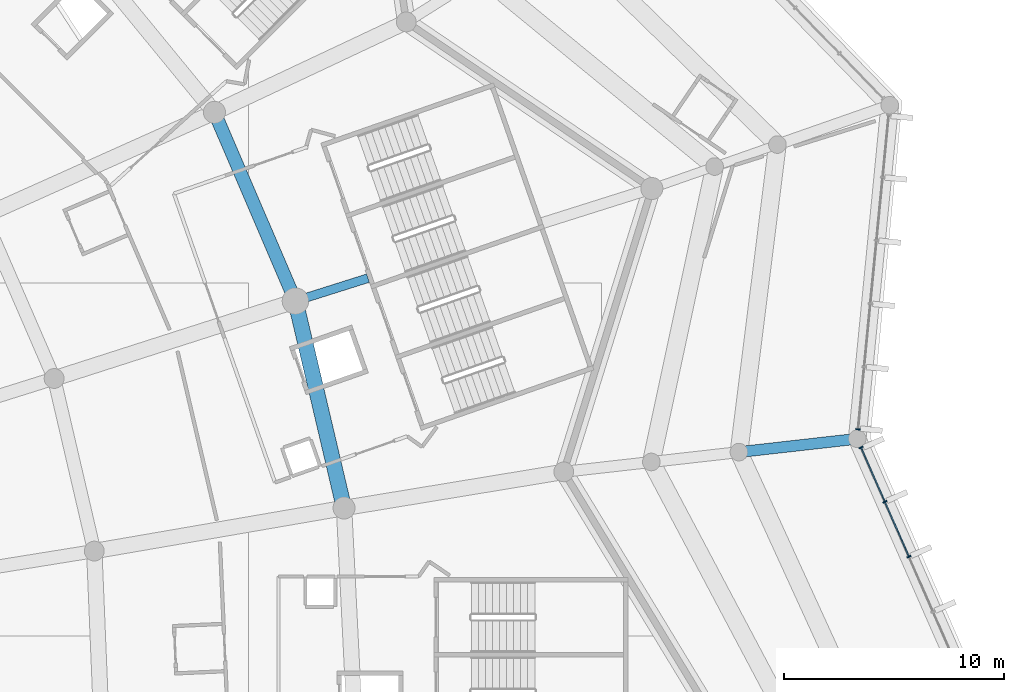
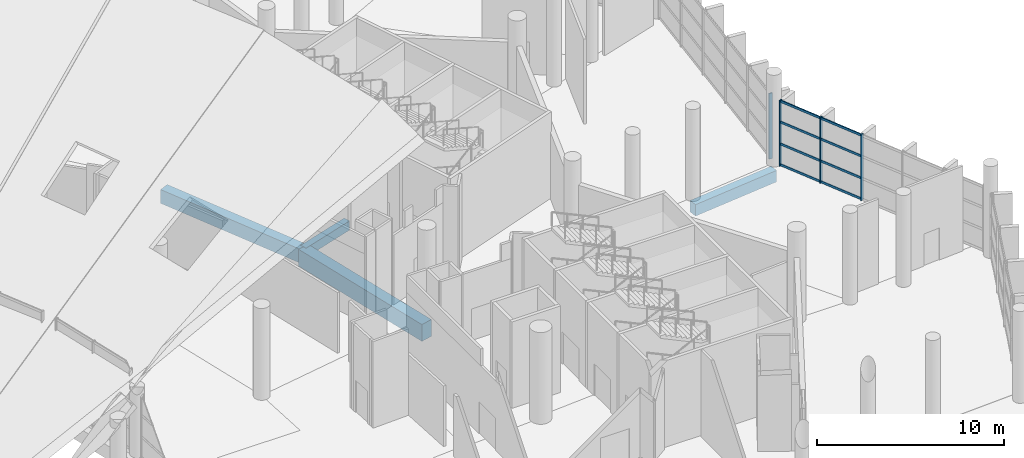
# One storey, part 83 of 249: 12 members, 4 beams, 2 elements without a shape of their own.
"""IFC4 building model written with IfcOpenShell, lengths in metres."""

from ifc_helpers import new_model, si_unit, direction, frame, origin, origin_2d, place, context, subcontext, project, spatial, rectangle, extrude, material, layer, layer_set, material_profile, profile_set, type_object, element, aggregate, save


model = new_model("IFC4")

# Units and contexts
model_context = context("Model", 3, precision=1e-05, world=origin(), true_north=direction((0.0, 1.0)))
body_context = subcontext(model_context, "Body", "Model", "MODEL_VIEW")
ifc_project = project(units=[si_unit("LENGTHUNIT", "METRE"), si_unit("AREAUNIT", "SQUARE_METRE"), si_unit("VOLUMEUNIT", "CUBIC_METRE"), si_unit("PLANEANGLEUNIT", "RADIAN"), si_unit("MASSUNIT", "GRAM", prefix="KILO")], contexts=[model_context])

# Site, building, storey
site_placement = place(None, origin())
site = spatial("IfcSite", under=ifc_project, at=site_placement, CompositionType="ELEMENT")
building_placement = place(site_placement, origin())
building = spatial("IfcBuilding", under=site, at=building_placement, Name="Meseta Stadium", CompositionType="ELEMENT")
storey_placement = place(building_placement, frame((0.0, 0.0, 12.0)))
storey = spatial("IfcBuildingStorey", under=building, at=storey_placement, Name="L02", CompositionType="ELEMENT", Elevation=12.0)

# Beams
ifc_material_1 = material(Name="Concrete C40/50", Category="concrete")
ifc_material_profile_1 = material_profile(ifc_material_1, rectangle(XDim=0.39990234375, YDim=0.60009765625, at=origin_2d()), Name="RC 400x600")
ifc_profile_set_1 = profile_set([ifc_material_profile_1], Name="Concrete C40/50")
beam_type_1 = type_object("IfcBeamType", Name="RC beam 400x600", PredefinedType="BEAM", material=ifc_profile_set_1)
beam_1_placement = place(storey_placement, frame((82.119873046875, 63.191162109375, -0.64990234375), z_axis=(0.953578389502, 0.301144907105, 0.0), x_axis=(-0.301144907105, 0.953578389502, 0.0)))
element("IfcBeam", 1, at=beam_1_placement, inside=storey, type_object=beam_type_1, Name="L02 radial beam frame 10 line P to R", PredefinedType="BEAM", context=body_context, shape_type="SweptSolid", body=[
    extrude(rectangle(XDim=0.39990234375, YDim=0.60009765625, at=origin_2d()), origin(), (0.0, 0.0, 1.0), 3.451904296875),
])
ifc_material_2 = material(Name="Concrete C40/50", Category="concrete")
ifc_material_profile_2 = material_profile(ifc_material_2, rectangle(XDim=0.5, YDim=0.75, at=origin_2d()), Name="RC 500x750")
ifc_profile_set_2 = profile_set([ifc_material_profile_2], Name="Concrete C40/50")
beam_type_2 = type_object("IfcBeamType", Name="RC beam 500x750", PredefinedType="BEAM", material=ifc_profile_set_2)
beam_2_placement = place(storey_placement, frame((102.244140625, 56.337158203125, -0.72509765625), z_axis=(0.993709385305, 0.111989542172, 0.0), x_axis=(-0.111989542172, 0.993709385305, 0.0)))
element("IfcBeam", 2, at=beam_2_placement, inside=storey, type_object=beam_type_2, Name="L02 radial beam frame 9 line Q to O", PredefinedType="BEAM", context=body_context, shape_type="SweptSolid", body=[
    extrude(rectangle(XDim=0.5, YDim=0.75, at=origin_2d()), origin(), (0.0, 0.0, 1.0), 5.39990234375),
])
ifc_material_3 = material(Name="Concrete C40/50", Category="concrete")
ifc_material_profile_3 = material_profile(ifc_material_3, rectangle(XDim=0.60009765625, YDim=0.89990234375, at=origin_2d()), Name="RC 600x900")
ifc_profile_set_3 = profile_set([ifc_material_profile_3], Name="Concrete C40/50")
beam_type_3 = type_object("IfcBeamType", Name="RC beam 600x900", PredefinedType="BEAM", material=ifc_profile_set_3)
beam_3_placement = place(storey_placement, frame((82.119873046875, 63.191162109375, -0.800048828125), z_axis=(-0.394270200779, 0.918994564063, 0.0), x_axis=(-0.918994564063, -0.394270200779, 0.0)))
element("IfcBeam", 3, at=beam_3_placement, inside=storey, type_object=beam_type_3, Name="L02 ring beam frame 10 line P", PredefinedType="BEAM", context=body_context, shape_type="SweptSolid", body=[
    extrude(rectangle(XDim=0.60009765625, YDim=0.89990234375, at=origin_2d()), origin(), (0.0, 0.0, 1.0), 9.31982421875),
])
ifc_material_4 = material(Name="Concrete C40/50", Category="concrete")
ifc_material_profile_4 = material_profile(ifc_material_4, rectangle(XDim=0.699951171875, YDim=1.10009765625, at=origin_2d()), Name="RC 700x1100")
ifc_profile_set_4 = profile_set([ifc_material_profile_4], Name="Concrete C40/50")
beam_type_4 = type_object("IfcBeamType", Name="RC beam 700x1100", PredefinedType="BEAM", material=ifc_profile_set_4)
beam_4_placement = place(storey_placement, frame((84.3251953125, 53.801513671875, -0.89990234375), z_axis=(-0.228645688533, 0.973509706739, 0.0), x_axis=(-0.973509706739, -0.228645688533, 0.0)))
element("IfcBeam", 4, at=beam_4_placement, inside=storey, type_object=beam_type_4, Name="L02 ring beam frame 9 line P", PredefinedType="BEAM", context=body_context, shape_type="SweptSolid", body=[
    extrude(rectangle(XDim=0.699951171875, YDim=1.10009765625, at=origin_2d()), origin(), (0.0, 0.0, 1.0), 9.645263671875),
])

# Curtain wall, members
ifc_material_5 = material(Name="Aluminium", Category="aluminium")
ifc_layer = layer(ifc_material_5, 0.199951171875)
ifc_layer_set = layer_set([ifc_layer], Name="Ring shopfront curtain wall")
curtain_wall_type = type_object("IfcCurtainWallType", Name="Ring shopfront curtain wall", PredefinedType="NOTDEFINED", material=ifc_layer_set)
curtain_wall_1_placement = place(storey_placement, origin())
curtain_wall_1 = element("IfcCurtainWall", 5, at=curtain_wall_1_placement, inside=storey, type_object=curtain_wall_type, Name="Ring glazing L02 F08", PredefinedType="NOTDEFINED")
ifc_material_6 = material(Name="Aluminium", Category="aluminium")
ifc_material_profile_5 = material_profile(ifc_material_6, rectangle(XDim=0.199951171875, YDim=0.06005859375, at=origin_2d()), Name="CW 200x60")
ifc_profile_set_5 = profile_set([ifc_material_profile_5], Name="Aluminium")
member_type_1 = type_object("IfcMemberType", Name="Ring CW mullion 60x200", PredefinedType="MULLION", material=ifc_profile_set_5)
member_1_placement = place(storey_placement, frame((109.958251953125, 51.591796875, 0.0), z_axis=(0.0, 0.0, 1.0), x_axis=(-0.915687110145, -0.401891921186, 0.0)))
member_1 = element("IfcMember", 6, at=member_1_placement, type_object=member_type_1, Name="CWR1 mullion 4", PredefinedType="MULLION", context=body_context, shape_type="SweptSolid", body=[
    extrude(rectangle(XDim=0.199951171875, YDim=0.06005859375, at=origin_2d()), origin(), (0.0, 0.0, 1.0), 4.300048828125),
])
member_2_placement = place(storey_placement, frame((108.864501953125, 54.083740234375, 0.0), z_axis=(0.0, 0.0, 1.0), x_axis=(-0.915687110145, -0.401891921186, 0.0)))
member_2 = element("IfcMember", 7, at=member_2_placement, type_object=member_type_1, Name="CWR1 mullion 5", PredefinedType="MULLION", context=body_context, shape_type="SweptSolid", body=[
    extrude(rectangle(XDim=0.199951171875, YDim=0.06005859375, at=origin_2d()), origin(), (0.0, 0.0, 1.0), 4.300048828125),
])
member_3_placement = place(storey_placement, frame((107.782958984375, 56.548095703125, 0.0), z_axis=(0.0, 0.0, 1.0), x_axis=(-0.915687110145, -0.401891921186, 0.0)))
member_3 = element("IfcMember", 8, at=member_3_placement, type_object=member_type_1, Name="CWR1 mullion 6", PredefinedType="MULLION", context=body_context, shape_type="SweptSolid", body=[
    extrude(rectangle(XDim=0.199951171875, YDim=0.06005859375, at=origin_2d()), origin(), (0.0, 0.0, 1.0), 4.300048828125),
])

# Curtain wall, member
curtain_wall_2_placement = place(storey_placement, origin())
curtain_wall_2 = element("IfcCurtainWall", 9, at=curtain_wall_2_placement, inside=storey, type_object=curtain_wall_type, Name="Ring glazing L02 F09", PredefinedType="NOTDEFINED")
member_4_placement = place(storey_placement, frame((107.65185546875, 57.369873046875, 0.0), z_axis=(0.0, 0.0, 1.0), x_axis=(-0.995272228282, 0.097124618973, 0.0)))
member_4 = element("IfcMember", 10, at=member_4_placement, type_object=member_type_1, Name="CWR1 mullion 1", PredefinedType="MULLION", context=body_context, shape_type="SweptSolid", body=[
    extrude(rectangle(XDim=0.199951171875, YDim=0.06005859375, at=origin_2d()), origin(), (0.0, 0.0, 1.0), 4.300048828125),
])
aggregate(curtain_wall_2, [member_4])

# Member
ifc_material_7 = material(Name="Aluminium", Category="aluminium")
ifc_material_profile_6 = material_profile(ifc_material_7, rectangle(XDim=0.06005859375, YDim=0.14990234375, at=origin_2d()), Name="CW 60x150")
ifc_profile_set_6 = profile_set([ifc_material_profile_6], Name="Aluminium")
member_type_2 = type_object("IfcMemberType", Name="Ring CW transom 60x150", PredefinedType="USERDEFINED", material=ifc_profile_set_6)
member_5_placement = place(storey_placement, frame((109.946044921875, 51.619384765625, 0.074951171875), z_axis=(-0.401843722256, 0.915708262977, 0.0), x_axis=(-0.915708262977, -0.401843722256, 0.0)))
member_5 = element("IfcMember", 11, at=member_5_placement, type_object=member_type_2, Name="CWR1 transom 4.1", ObjectType="TRANSOM", PredefinedType="USERDEFINED", context=body_context, shape_type="SweptSolid", body=[
    extrude(rectangle(XDim=0.06005859375, YDim=0.14990234375, at=origin_2d()), origin(), (0.0, 0.0, 1.0), 2.6611328125),
])

member_6_placement = place(storey_placement, frame((109.946044921875, 51.619384765625, 1.433349609375), z_axis=(-0.401843722256, 0.915708262977, 0.0), x_axis=(-0.915708262977, -0.401843722256, 0.0)))
member_6 = element("IfcMember", 12, at=member_6_placement, type_object=member_type_2, Name="CWR1 transom 4.2", ObjectType="TRANSOM", PredefinedType="USERDEFINED", context=body_context, shape_type="SweptSolid", body=[
    extrude(rectangle(XDim=0.06005859375, YDim=0.14990234375, at=origin_2d()), origin(), (0.0, 0.0, 1.0), 2.6611328125),
])

member_7_placement = place(storey_placement, frame((109.946044921875, 51.619384765625, 2.86669921875), z_axis=(-0.401843722256, 0.915708262977, 0.0), x_axis=(-0.915708262977, -0.401843722256, 0.0)))
member_7 = element("IfcMember", 13, at=member_7_placement, type_object=member_type_2, Name="CWR1 transom 4.3", ObjectType="TRANSOM", PredefinedType="USERDEFINED", context=body_context, shape_type="SweptSolid", body=[
    extrude(rectangle(XDim=0.06005859375, YDim=0.14990234375, at=origin_2d()), origin(), (0.0, 0.0, 1.0), 2.6611328125),
])

member_8_placement = place(storey_placement, frame((109.946044921875, 51.619384765625, 4.22509765625), z_axis=(-0.401843722256, 0.915708262977, 0.0), x_axis=(-0.915708262977, -0.401843722256, 0.0)))
member_8 = element("IfcMember", 14, at=member_8_placement, type_object=member_type_2, Name="CWR1 transom 4.4", ObjectType="TRANSOM", PredefinedType="USERDEFINED", context=body_context, shape_type="SweptSolid", body=[
    extrude(rectangle(XDim=0.06005859375, YDim=0.14990234375, at=origin_2d()), origin(), (0.0, 0.0, 1.0), 2.6611328125),
])

member_9_placement = place(storey_placement, frame((108.8525390625, 54.111083984375, 0.074951171875), z_axis=(-0.40193314241, 0.915669017185, 0.0), x_axis=(-0.915669017185, -0.40193314241, 0.0)))
member_9 = element("IfcMember", 15, at=member_9_placement, type_object=member_type_2, Name="CWR1 transom 5.1", ObjectType="TRANSOM", PredefinedType="USERDEFINED", context=body_context, shape_type="SweptSolid", body=[
    extrude(rectangle(XDim=0.06005859375, YDim=0.14990234375, at=origin_2d()), origin(), (0.0, 0.0, 1.0), 2.63134765625),
])

member_10_placement = place(storey_placement, frame((108.8525390625, 54.111083984375, 1.433349609375), z_axis=(-0.40193314241, 0.915669017185, 0.0), x_axis=(-0.915669017185, -0.40193314241, 0.0)))
member_10 = element("IfcMember", 16, at=member_10_placement, type_object=member_type_2, Name="CWR1 transom 5.2", ObjectType="TRANSOM", PredefinedType="USERDEFINED", context=body_context, shape_type="SweptSolid", body=[
    extrude(rectangle(XDim=0.06005859375, YDim=0.14990234375, at=origin_2d()), origin(), (0.0, 0.0, 1.0), 2.63134765625),
])

member_11_placement = place(storey_placement, frame((108.8525390625, 54.111083984375, 2.86669921875), z_axis=(-0.40193314241, 0.915669017185, 0.0), x_axis=(-0.915669017185, -0.40193314241, 0.0)))
member_11 = element("IfcMember", 17, at=member_11_placement, type_object=member_type_2, Name="CWR1 transom 5.3", ObjectType="TRANSOM", PredefinedType="USERDEFINED", context=body_context, shape_type="SweptSolid", body=[
    extrude(rectangle(XDim=0.06005859375, YDim=0.14990234375, at=origin_2d()), origin(), (0.0, 0.0, 1.0), 2.63134765625),
])

member_12_placement = place(storey_placement, frame((108.8525390625, 54.111083984375, 4.22509765625), z_axis=(-0.40193314241, 0.915669017185, 0.0), x_axis=(-0.915669017185, -0.40193314241, 0.0)))
member_12 = element("IfcMember", 18, at=member_12_placement, type_object=member_type_2, Name="CWR1 transom 5.4", ObjectType="TRANSOM", PredefinedType="USERDEFINED", context=body_context, shape_type="SweptSolid", body=[
    extrude(rectangle(XDim=0.06005859375, YDim=0.14990234375, at=origin_2d()), origin(), (0.0, 0.0, 1.0), 2.63134765625),
])

aggregate(curtain_wall_1, [member_1, member_2, member_3, member_5, member_6, member_7, member_8, member_9, member_10, member_11, member_12])

save(model, "model.ifc")
